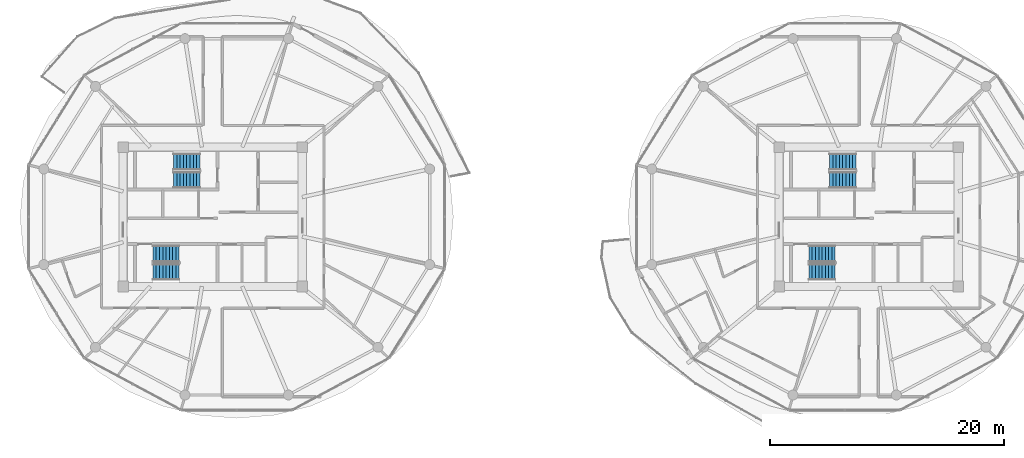
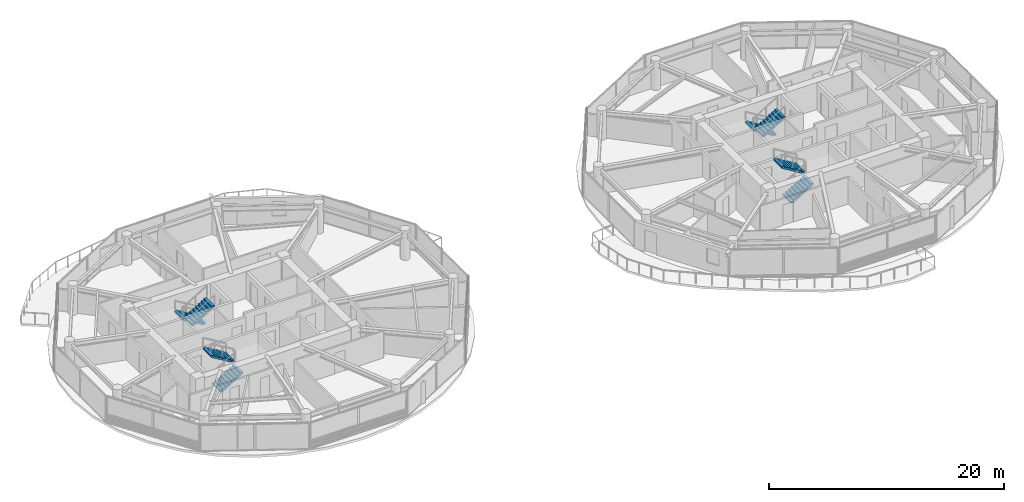
# One storey, part 20 of 23: 8 stair flights, 4 elements without a shape of their own.
"""IFC4 building model written with IfcOpenShell, lengths in metres."""

from ifc_helpers import new_model, si_unit, direction, frame, origin, place, context, subcontext, project, spatial, polyline, outline, extrude, material, type_object, element, aggregate, save


model = new_model("IFC4")

# Units and contexts
model_context = context("Model", 3, precision=1e-05, world=origin(), true_north=direction((0.0, 1.0)))
body_context = subcontext(model_context, "Body", "Model", "MODEL_VIEW")
ifc_project = project(units=[si_unit("LENGTHUNIT", "METRE"), si_unit("AREAUNIT", "SQUARE_METRE"), si_unit("VOLUMEUNIT", "CUBIC_METRE"), si_unit("PLANEANGLEUNIT", "RADIAN"), si_unit("MASSUNIT", "GRAM", prefix="KILO")], contexts=[model_context])

# Site, building, storey
site_placement = place(None, origin())
site = spatial("IfcSite", under=ifc_project, at=site_placement, CompositionType="ELEMENT")
building_placement = place(site_placement, origin())
building = spatial("IfcBuilding", under=site, at=building_placement, Name="Norrkilde Senior Care Towers", CompositionType="ELEMENT")
storey_placement = place(building_placement, frame((0.0, 0.0, 81.0)))
storey = spatial("IfcBuildingStorey", under=building, at=storey_placement, Name="L24", CompositionType="ELEMENT", Elevation=81.0)

# Stair, stair flights
ifc_material = material(Name="Concrete C45/55", Category="concrete")
stair_type = type_object("IfcStairType", Name="Core Protected Dogleg Stair Typical 3050", PredefinedType="HALF_TURN_STAIR", material=ifc_material)
stair_1_placement = place(storey_placement, origin())
stair_1 = element("IfcStair", 1, at=stair_1_placement, inside=storey, type_object=stair_type, Name="L24 Protected Core Stair W1", PredefinedType="HALF_TURN_STAIR")
stair_flight_type = type_object("IfcStairFlightType", Name="Core Protected Dogleg Stair Typical 3050 Flight", PredefinedType="STRAIGHT", material=ifc_material)
stair_flight_1_placement = place(storey_placement, frame((-29.10009765625, 4.699951171875, 0.0), z_axis=(0.0, 0.0, 1.0), x_axis=(-1.0, 0.0, 0.0)))
stair_flight_1 = element("IfcStairFlight", 2, at=stair_flight_1_placement, type_object=stair_flight_type, Name="ST-W1 flight 1", NumberOfRisers=9, NumberOfTreads=8, PredefinedType="STRAIGHT", RiserHeight=0.169444444, TreadLength=0.28, context=body_context, shape_type="SweptSolid", body=[
    extrude(outline(polyline([(0.0, 0.0), (0.0, 0.16943359375), (0.280029296875, 0.16943359375), (0.280029296875, 0.3388671875), (0.56005859375, 0.3388671875), (0.56005859375, 0.50830078125), (0.840087890625, 0.50830078125), (0.840087890625, 0.677734375), (1.1201171875, 0.677734375), (1.1201171875, 0.84716796875), (1.39990234375, 0.84716796875), (1.39990234375, 1.0166015625), (1.679931640625, 1.0166015625), (1.679931640625, 1.18603515625), (1.9599609375, 1.18603515625), (1.9599609375, 1.35546875), (2.239990234375, 1.35546875), (2.239990234375, 1.52490234375), (2.239990234375, 1.180419921875), (0.28955078125, 0.0), (0.0, 0.0)])), frame((0.0, 0.699951171875, 0.0), z_axis=(0.0, -1.0, 0.0), x_axis=(1.0, 0.0, 0.0)), (0.0, 0.0, 1.0), 1.39990234375),
])
stair_flight_2_placement = place(storey_placement, frame((-31.340087890625, 3.14990234375, 1.52490234375), z_axis=(0.0, 0.0, 1.0), x_axis=(1.0, 0.0, 0.0)))
stair_flight_2 = element("IfcStairFlight", 3, at=stair_flight_2_placement, type_object=stair_flight_type, Name="ST-W1 flight 2", NumberOfRisers=9, NumberOfTreads=8, PredefinedType="STRAIGHT", RiserHeight=0.169444444, TreadLength=0.28, context=body_context, shape_type="SweptSolid", body=[
    extrude(outline(polyline([(0.0, 0.0), (0.0, 0.16943359375), (0.280029296875, 0.16943359375), (0.280029296875, 0.3388671875), (0.56005859375, 0.3388671875), (0.56005859375, 0.50830078125), (0.840087890625, 0.50830078125), (0.840087890625, 0.677734375), (1.1201171875, 0.677734375), (1.1201171875, 0.84716796875), (1.39990234375, 0.84716796875), (1.39990234375, 1.0166015625), (1.679931640625, 1.0166015625), (1.679931640625, 1.18603515625), (1.9599609375, 1.18603515625), (1.9599609375, 1.35546875), (2.239990234375, 1.35546875), (2.239990234375, 1.52490234375), (2.239990234375, 1.180419921875), (0.28955078125, 0.0), (0.0, 0.0)])), frame((0.0, 0.699951171875, 0.0), z_axis=(0.0, -1.0, 0.0), x_axis=(1.0, 0.0, 0.0)), (0.0, 0.0, 1.0), 1.39990234375),
])
aggregate(stair_1, [stair_flight_1, stair_flight_2])

stair_2_placement = place(storey_placement, origin())
stair_2 = element("IfcStair", 4, at=stair_2_placement, inside=storey, type_object=stair_type, Name="L24 Protected Core Stair W2", PredefinedType="HALF_TURN_STAIR")
stair_flight_3_placement = place(storey_placement, frame((-33.10009765625, -4.699951171875, 0.0), z_axis=(0.0, 0.0, 1.0), x_axis=(1.0, 0.0, 0.0)))
stair_flight_3 = element("IfcStairFlight", 5, at=stair_flight_3_placement, type_object=stair_flight_type, Name="ST-W2 flight 1", NumberOfRisers=9, NumberOfTreads=8, PredefinedType="STRAIGHT", RiserHeight=0.169444444, TreadLength=0.28, context=body_context, shape_type="SweptSolid", body=[
    extrude(outline(polyline([(0.0, 0.0), (0.0, 0.16943359375), (0.280029296875, 0.16943359375), (0.280029296875, 0.3388671875), (0.56005859375, 0.3388671875), (0.56005859375, 0.50830078125), (0.840087890625, 0.50830078125), (0.840087890625, 0.677734375), (1.1201171875, 0.677734375), (1.1201171875, 0.84716796875), (1.39990234375, 0.84716796875), (1.39990234375, 1.0166015625), (1.679931640625, 1.0166015625), (1.679931640625, 1.18603515625), (1.9599609375, 1.18603515625), (1.9599609375, 1.35546875), (2.239990234375, 1.35546875), (2.239990234375, 1.52490234375), (2.239990234375, 1.180419921875), (0.28955078125, 0.0), (0.0, 0.0)])), frame((0.0, 0.699951171875, 0.0), z_axis=(0.0, -1.0, 0.0), x_axis=(1.0, 0.0, 0.0)), (0.0, 0.0, 1.0), 1.39990234375),
])
stair_flight_4_placement = place(storey_placement, frame((-30.860107421875, -3.14990234375, 1.52490234375), z_axis=(0.0, 0.0, 1.0), x_axis=(-1.0, 0.0, 0.0)))
stair_flight_4 = element("IfcStairFlight", 6, at=stair_flight_4_placement, type_object=stair_flight_type, Name="ST-W2 flight 2", NumberOfRisers=9, NumberOfTreads=8, PredefinedType="STRAIGHT", RiserHeight=0.169444444, TreadLength=0.28, context=body_context, shape_type="SweptSolid", body=[
    extrude(outline(polyline([(0.0, 0.0), (0.0, 0.16943359375), (0.280029296875, 0.16943359375), (0.280029296875, 0.3388671875), (0.56005859375, 0.3388671875), (0.56005859375, 0.50830078125), (0.840087890625, 0.50830078125), (0.840087890625, 0.677734375), (1.1201171875, 0.677734375), (1.1201171875, 0.84716796875), (1.39990234375, 0.84716796875), (1.39990234375, 1.0166015625), (1.679931640625, 1.0166015625), (1.679931640625, 1.18603515625), (1.9599609375, 1.18603515625), (1.9599609375, 1.35546875), (2.239990234375, 1.35546875), (2.239990234375, 1.52490234375), (2.239990234375, 1.180419921875), (0.28955078125, 0.0), (0.0, 0.0)])), frame((0.0, 0.699951171875, 0.0), z_axis=(0.0, -1.0, 0.0), x_axis=(1.0, 0.0, 0.0)), (0.0, 0.0, 1.0), 1.39990234375),
])
aggregate(stair_2, [stair_flight_3, stair_flight_4])

stair_3_placement = place(storey_placement, origin())
stair_3 = element("IfcStair", 7, at=stair_3_placement, inside=storey, type_object=stair_type, Name="L24 Protected Core Stair E1", PredefinedType="HALF_TURN_STAIR")
stair_flight_5_placement = place(storey_placement, frame((26.89990234375, 4.699951171875, 0.0), z_axis=(0.0, 0.0, 1.0), x_axis=(-1.0, 0.0, 0.0)))
stair_flight_5 = element("IfcStairFlight", 8, at=stair_flight_5_placement, type_object=stair_flight_type, Name="ST-E1 flight 1", NumberOfRisers=9, NumberOfTreads=8, PredefinedType="STRAIGHT", RiserHeight=0.169444444, TreadLength=0.28, context=body_context, shape_type="SweptSolid", body=[
    extrude(outline(polyline([(0.0, 0.0), (0.0, 0.16943359375), (0.280029296875, 0.16943359375), (0.280029296875, 0.3388671875), (0.56005859375, 0.3388671875), (0.56005859375, 0.50830078125), (0.840087890625, 0.50830078125), (0.840087890625, 0.677734375), (1.1201171875, 0.677734375), (1.1201171875, 0.84716796875), (1.39990234375, 0.84716796875), (1.39990234375, 1.0166015625), (1.679931640625, 1.0166015625), (1.679931640625, 1.18603515625), (1.9599609375, 1.18603515625), (1.9599609375, 1.35546875), (2.239990234375, 1.35546875), (2.239990234375, 1.52490234375), (2.239990234375, 1.180419921875), (0.28955078125, 0.0), (0.0, 0.0)])), frame((0.0, 0.699951171875, 0.0), z_axis=(0.0, -1.0, 0.0), x_axis=(1.0, 0.0, 0.0)), (0.0, 0.0, 1.0), 1.39990234375),
])
stair_flight_6_placement = place(storey_placement, frame((24.659912109375, 3.14990234375, 1.52490234375), z_axis=(0.0, 0.0, 1.0), x_axis=(1.0, 0.0, 0.0)))
stair_flight_6 = element("IfcStairFlight", 9, at=stair_flight_6_placement, type_object=stair_flight_type, Name="ST-E1 flight 2", NumberOfRisers=9, NumberOfTreads=8, PredefinedType="STRAIGHT", RiserHeight=0.169444444, TreadLength=0.28, context=body_context, shape_type="SweptSolid", body=[
    extrude(outline(polyline([(0.0, 0.0), (0.0, 0.16943359375), (0.280029296875, 0.16943359375), (0.280029296875, 0.3388671875), (0.56005859375, 0.3388671875), (0.56005859375, 0.50830078125), (0.840087890625, 0.50830078125), (0.840087890625, 0.677734375), (1.1201171875, 0.677734375), (1.1201171875, 0.84716796875), (1.39990234375, 0.84716796875), (1.39990234375, 1.0166015625), (1.679931640625, 1.0166015625), (1.679931640625, 1.18603515625), (1.9599609375, 1.18603515625), (1.9599609375, 1.35546875), (2.239990234375, 1.35546875), (2.239990234375, 1.52490234375), (2.239990234375, 1.180419921875), (0.28955078125, 0.0), (0.0, 0.0)])), frame((0.0, 0.699951171875, 0.0), z_axis=(0.0, -1.0, 0.0), x_axis=(1.0, 0.0, 0.0)), (0.0, 0.0, 1.0), 1.39990234375),
])
aggregate(stair_3, [stair_flight_5, stair_flight_6])

stair_4_placement = place(storey_placement, origin())
stair_4 = element("IfcStair", 10, at=stair_4_placement, inside=storey, type_object=stair_type, Name="L24 Protected Core Stair E2", PredefinedType="HALF_TURN_STAIR")
stair_flight_7_placement = place(storey_placement, frame((22.89990234375, -4.699951171875, 0.0), z_axis=(0.0, 0.0, 1.0), x_axis=(1.0, 0.0, 0.0)))
stair_flight_7 = element("IfcStairFlight", 11, at=stair_flight_7_placement, type_object=stair_flight_type, Name="ST-E2 flight 1", NumberOfRisers=9, NumberOfTreads=8, PredefinedType="STRAIGHT", RiserHeight=0.169444444, TreadLength=0.28, context=body_context, shape_type="SweptSolid", body=[
    extrude(outline(polyline([(0.0, 0.0), (0.0, 0.16943359375), (0.280029296875, 0.16943359375), (0.280029296875, 0.3388671875), (0.56005859375, 0.3388671875), (0.56005859375, 0.50830078125), (0.840087890625, 0.50830078125), (0.840087890625, 0.677734375), (1.1201171875, 0.677734375), (1.1201171875, 0.84716796875), (1.39990234375, 0.84716796875), (1.39990234375, 1.0166015625), (1.679931640625, 1.0166015625), (1.679931640625, 1.18603515625), (1.9599609375, 1.18603515625), (1.9599609375, 1.35546875), (2.239990234375, 1.35546875), (2.239990234375, 1.52490234375), (2.239990234375, 1.180419921875), (0.28955078125, 0.0), (0.0, 0.0)])), frame((0.0, 0.699951171875, 0.0), z_axis=(0.0, -1.0, 0.0), x_axis=(1.0, 0.0, 0.0)), (0.0, 0.0, 1.0), 1.39990234375),
])
stair_flight_8_placement = place(storey_placement, frame((25.139892578125, -3.14990234375, 1.52490234375), z_axis=(0.0, 0.0, 1.0), x_axis=(-1.0, 0.0, 0.0)))
stair_flight_8 = element("IfcStairFlight", 12, at=stair_flight_8_placement, type_object=stair_flight_type, Name="ST-E2 flight 2", NumberOfRisers=9, NumberOfTreads=8, PredefinedType="STRAIGHT", RiserHeight=0.169444444, TreadLength=0.28, context=body_context, shape_type="SweptSolid", body=[
    extrude(outline(polyline([(0.0, 0.0), (0.0, 0.16943359375), (0.280029296875, 0.16943359375), (0.280029296875, 0.3388671875), (0.56005859375, 0.3388671875), (0.56005859375, 0.50830078125), (0.840087890625, 0.50830078125), (0.840087890625, 0.677734375), (1.1201171875, 0.677734375), (1.1201171875, 0.84716796875), (1.39990234375, 0.84716796875), (1.39990234375, 1.0166015625), (1.679931640625, 1.0166015625), (1.679931640625, 1.18603515625), (1.9599609375, 1.18603515625), (1.9599609375, 1.35546875), (2.239990234375, 1.35546875), (2.239990234375, 1.52490234375), (2.239990234375, 1.180419921875), (0.28955078125, 0.0), (0.0, 0.0)])), frame((0.0, 0.699951171875, 0.0), z_axis=(0.0, -1.0, 0.0), x_axis=(1.0, 0.0, 0.0)), (0.0, 0.0, 1.0), 1.39990234375),
])
aggregate(stair_4, [stair_flight_7, stair_flight_8])

save(model, "model.ifc")
